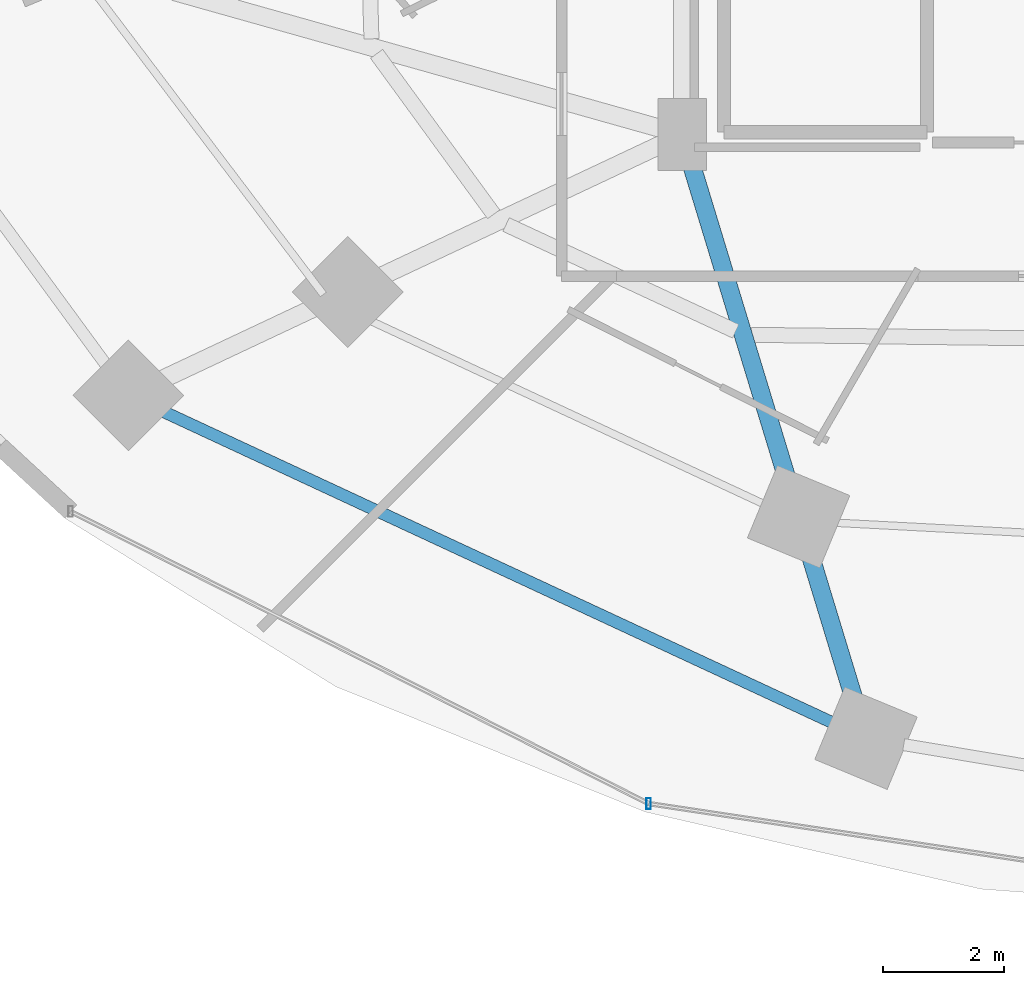
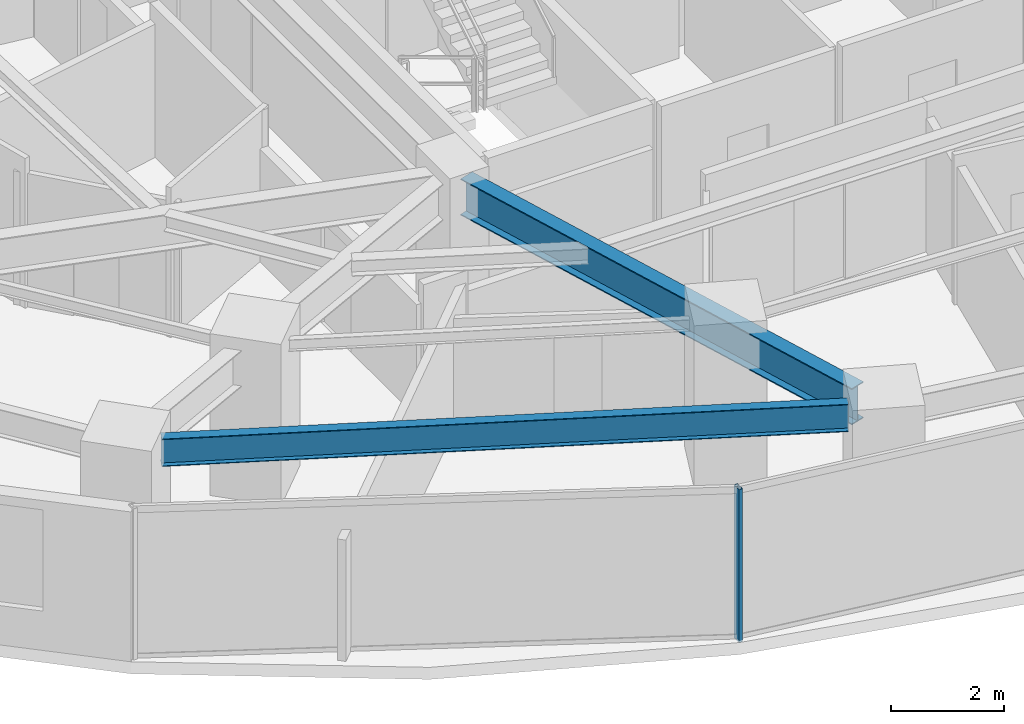
# One storey, part 5 of 35: 2 beams, 1 member, 1 element without a shape of its own.
"""IFC4 building model written with IfcOpenShell, lengths in metres."""

from ifc_helpers import new_model, si_unit, direction, frame, origin, origin_2d, place, context, subcontext, project, spatial, hollow_rectangle, i_section, extrude, material, material_profile, profile_set, type_object, element, aggregate, save


model = new_model("IFC4")

# Units and contexts
model_context = context("Model", 3, precision=1e-05, world=origin(), true_north=direction((0.0, 1.0)))
body_context = subcontext(model_context, "Body", "Model", "MODEL_VIEW")
ifc_project = project(units=[si_unit("LENGTHUNIT", "METRE"), si_unit("AREAUNIT", "SQUARE_METRE"), si_unit("VOLUMEUNIT", "CUBIC_METRE"), si_unit("PLANEANGLEUNIT", "RADIAN"), si_unit("MASSUNIT", "GRAM", prefix="KILO")], contexts=[model_context])

# Site, building, storey
site_placement = place(None, origin())
site = spatial("IfcSite", under=ifc_project, at=site_placement, CompositionType="ELEMENT")
building_placement = place(site_placement, origin())
building = spatial("IfcBuilding", under=site, at=building_placement, Name="Vorneva Point Tower", CompositionType="ELEMENT")
storey_placement = place(building_placement, frame((0.0, 0.0, 45.0)))
storey = spatial("IfcBuildingStorey", under=building, at=storey_placement, Name="L11", CompositionType="ELEMENT", Elevation=45.0)

# Beams
ifc_material_1 = material(Name="Steel S355", Category="steel")
ifc_material_profile_1 = material_profile(ifc_material_1, i_section(OverallWidth=0.300048828125, OverallDepth=0.7880859375, WebThickness=0.014404296875, FlangeThickness=0.02197265625, at=origin_2d()), Name="80Sh1")
ifc_profile_set_1 = profile_set([ifc_material_profile_1], Name="Steel S355")
beam_type_1 = type_object("IfcBeamType", Name="BM-GRD-80Sh1", PredefinedType="USERDEFINED", material=ifc_profile_set_1)
beam_1_placement = place(storey_placement, frame((30.111083984375, 7.045654296875, 2.845947265625), z_axis=(-0.29104183924, 0.956710325967, 0.0), x_axis=(-0.956710325967, -0.29104183924, 0.0)))
element("IfcBeam", 1, at=beam_1_placement, inside=storey, type_object=beam_type_1, Name="L11 Radial Primary Girder 12", ObjectType="GIRDER", PredefinedType="USERDEFINED", context=body_context, shape_type="SweptSolid", body=[
    extrude(i_section(OverallWidth=0.300048828125, OverallDepth=0.7880859375, WebThickness=0.014404296875, FlangeThickness=0.02197265625, at=origin_2d()), origin(), (0.0, 0.0, 1.0), 9.489990234375),
])
ifc_material_profile_2 = material_profile(ifc_material_1, i_section(OverallWidth=0.198974609375, OverallDepth=0.595947265625, WebThickness=0.010009765625, FlangeThickness=0.014892578125, at=origin_2d()), Name="60B1")
ifc_profile_set_2 = profile_set([ifc_material_profile_2], Name="Steel S355")
beam_type_2 = type_object("IfcBeamType", Name="BM-SPN-60B1", PredefinedType="SPANDREL", material=ifc_profile_set_2)
beam_2_placement = place(storey_placement, frame((18.63720703125, 11.8564453125, 2.94189453125), z_axis=(0.906776698196, -0.421611218551, 0.0), x_axis=(0.421611218551, 0.906776698196, 0.0)))
element("IfcBeam", 2, at=beam_2_placement, inside=storey, type_object=beam_type_2, Name="L11 Perimeter Spandrel Ring Beam 11", PredefinedType="SPANDREL", context=body_context, shape_type="SweptSolid", body=[
    extrude(i_section(OverallWidth=0.198974609375, OverallDepth=0.595947265625, WebThickness=0.010009765625, FlangeThickness=0.014892578125, at=origin_2d()), origin(), (0.0, 0.0, 1.0), 12.223388671875),
])

# Curtain wall, member
ifc_material_2 = material(Name="Pale anodised aluminium", Category="aluminium")
curtain_wall_type = type_object("IfcCurtainWallType", Name="CW-HTL-SYS", PredefinedType="NOTDEFINED", material=ifc_material_2)
curtain_wall_placement = place(storey_placement, origin())
curtain_wall = element("IfcCurtainWall", 3, at=curtain_wall_placement, inside=storey, type_object=curtain_wall_type, Name="L11 Unitised Curtain Wall CW-L11-R04", PredefinedType="NOTDEFINED")
ifc_material_profile_3 = material_profile(ifc_material_2, hollow_rectangle(XDim=0.074951171875, YDim=0.179931640625, WallThickness=0.00390625, at=origin_2d()), Name="AL-MUL 180x75x4")
ifc_profile_set_3 = profile_set([ifc_material_profile_3], Name="Pale anodised aluminium")
member_type = type_object("IfcMemberType", Name="CW-MUL-180", PredefinedType="MULLION", material=ifc_profile_set_3)
member_placement = place(storey_placement, frame((26.691650390625, 5.351318359375, -0.0400390625), z_axis=(0.0, 0.0, 1.0), x_axis=(1.0, 0.0, 0.0)))
member = element("IfcMember", 4, at=member_placement, type_object=member_type, Name="CW-L11-R04 Mullion 02", PredefinedType="MULLION", context=body_context, shape_type="SweptSolid", body=[
    extrude(hollow_rectangle(XDim=0.074951171875, YDim=0.179931640625, WallThickness=0.00390625, at=origin_2d()), origin(), (0.0, 0.0, 1.0), 3.31005859375),
])
aggregate(curtain_wall, [member])

save(model, "model.ifc")
